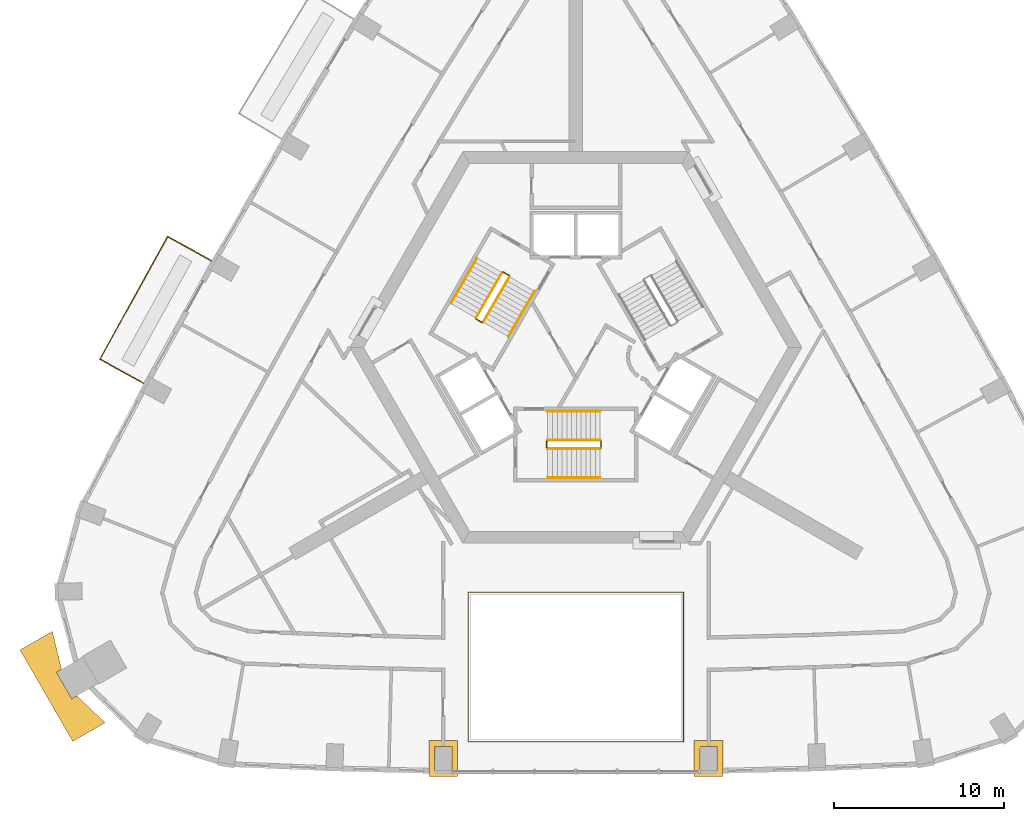
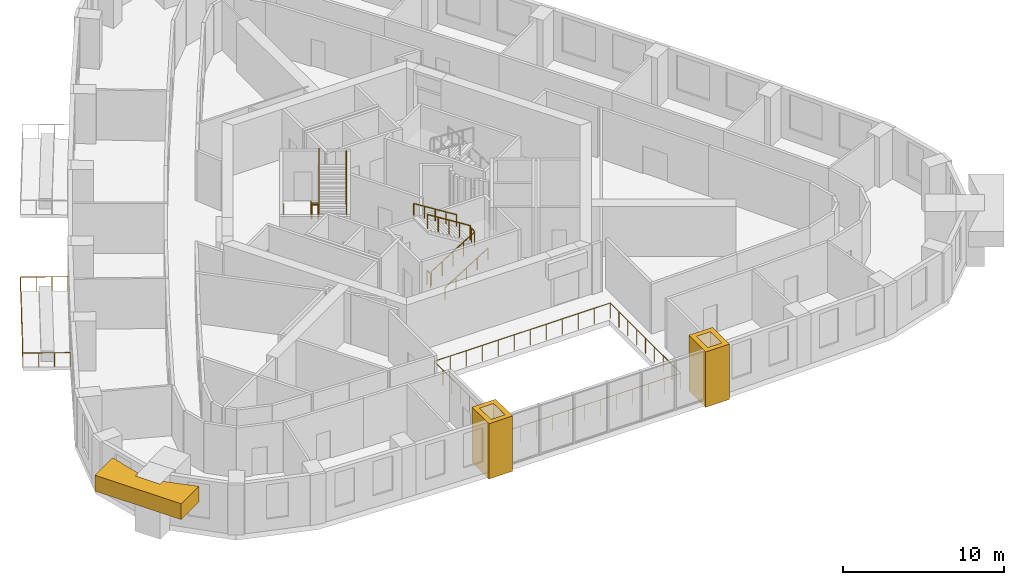
# One storey, part 11 of 13: 14 railings, 3 coverings.
"""IFC4 building model written with IfcOpenShell, lengths in metres."""

from ifc_helpers import new_model, si_unit, direction, frame, origin, origin_2d, place, context, subcontext, project, spatial, polyline, circle, outline, extrude, material, type_object, element, save


model = new_model("IFC4")

# Units and contexts
model_context = context("Model", 3, precision=1e-05, world=origin(), true_north=direction((0.0, 1.0)))
body_context = subcontext(model_context, "Body", "Model", "MODEL_VIEW")
ifc_project = project(units=[si_unit("LENGTHUNIT", "METRE"), si_unit("AREAUNIT", "SQUARE_METRE"), si_unit("VOLUMEUNIT", "CUBIC_METRE"), si_unit("PLANEANGLEUNIT", "RADIAN"), si_unit("MASSUNIT", "GRAM", prefix="KILO")], contexts=[model_context])

# Site, building, storey
site_placement = place(None, origin())
site = spatial("IfcSite", under=ifc_project, at=site_placement, CompositionType="ELEMENT")
building_placement = place(site_placement, origin())
building = spatial("IfcBuilding", under=site, at=building_placement, Name="Entoto Arch Interchange Tower", CompositionType="ELEMENT")
storey_placement = place(building_placement, frame((0.0, 0.0, 210.800048828125)))
storey = spatial("IfcBuildingStorey", under=building, at=storey_placement, Name="L47", CompositionType="ELEMENT", Elevation=210.800048828125)

# Railings
ifc_material_1 = material(Name="Stainless steel 1.4301", Category="steel")
railing_type_1 = type_object("IfcRailingType", Name="ATRIUM GUARD 1200 STEEL AND GLASS", PredefinedType="GUARDRAIL", material=ifc_material_1)
railing_1_placement = place(storey_placement, frame((6.320068359375, -20.6640625, 0.0)))
element("IfcRailing", 1, at=railing_1_placement, inside=storey, type_object=railing_type_1, Name="Atrium guard L47", PredefinedType="GUARDRAIL", context=body_context, shape_type="SweptSolid", body=[
    extrude(circle(Radius=0.02392578125, at=origin_2d()), frame((0.0, 0.0, 1.17578125), z_axis=(-1.0, 0.0, 0.0), x_axis=(0.0, -1.0, 0.0)), (0.0, 0.0, 1.0), 12.64013671875),
    extrude(circle(Radius=0.02392578125, at=origin_2d()), frame((-12.64013671875, 0.0, 1.17578125), z_axis=(0.0, 1.0, 0.0), x_axis=(-1.0, 0.0, 0.0)), (0.0, 0.0, 1.0), 8.7841796875),
    extrude(circle(Radius=0.02392578125, at=origin_2d()), frame((-12.64013671875, 8.7841796875, 1.17578125), z_axis=(1.0, 0.0, 0.0), x_axis=(0.0, 1.0, 0.0)), (0.0, 0.0, 1.0), 12.64013671875),
    extrude(circle(Radius=0.02392578125, at=origin_2d()), frame((0.0, 8.7841796875, 1.17578125), z_axis=(0.0, -1.0, 0.0), x_axis=(1.0, 0.0, 0.0)), (0.0, 0.0, 1.0), 8.7841796875),
    extrude(circle(Radius=0.02099609375, at=origin_2d()), origin(), (0.0, 0.0, 1.0), 1.15185546875),
    extrude(circle(Radius=0.02099609375, at=origin_2d()), frame((-1.149169921875, 0.0, 0.0)), (0.0, 0.0, 1.0), 1.15185546875),
    extrude(circle(Radius=0.02099609375, at=origin_2d()), frame((-2.298095703125, 0.0, 0.0)), (0.0, 0.0, 1.0), 1.15185546875),
    extrude(circle(Radius=0.02099609375, at=origin_2d()), frame((-3.447265625, 0.0, 0.0)), (0.0, 0.0, 1.0), 1.15185546875),
    extrude(circle(Radius=0.02099609375, at=origin_2d()), frame((-4.596435546875, 0.0, 0.0)), (0.0, 0.0, 1.0), 1.15185546875),
    extrude(circle(Radius=0.02099609375, at=origin_2d()), frame((-5.74560546875, 0.0, 0.0)), (0.0, 0.0, 1.0), 1.15185546875),
    extrude(circle(Radius=0.02099609375, at=origin_2d()), frame((-6.89453125, 0.0, 0.0)), (0.0, 0.0, 1.0), 1.15185546875),
    extrude(circle(Radius=0.02099609375, at=origin_2d()), frame((-8.043701171875, 0.0, 0.0)), (0.0, 0.0, 1.0), 1.15185546875),
    extrude(circle(Radius=0.02099609375, at=origin_2d()), frame((-9.19287109375, 0.0, 0.0)), (0.0, 0.0, 1.0), 1.15185546875),
    extrude(circle(Radius=0.02099609375, at=origin_2d()), frame((-10.342041015625, 0.0, 0.0)), (0.0, 0.0, 1.0), 1.15185546875),
    extrude(circle(Radius=0.02099609375, at=origin_2d()), frame((-11.490966796875, 0.0, 0.0)), (0.0, 0.0, 1.0), 1.15185546875),
    extrude(circle(Radius=0.02099609375, at=origin_2d()), frame((-12.64013671875, 0.0, 0.0)), (0.0, 0.0, 1.0), 1.15185546875),
    extrude(circle(Radius=0.02099609375, at=origin_2d()), frame((-12.64013671875, 1.09814453125, 0.0)), (0.0, 0.0, 1.0), 1.15185546875),
    extrude(circle(Radius=0.02099609375, at=origin_2d()), frame((-12.64013671875, 2.196044921875, 0.0)), (0.0, 0.0, 1.0), 1.15185546875),
    extrude(circle(Radius=0.02099609375, at=origin_2d()), frame((-12.64013671875, 3.2939453125, 0.0)), (0.0, 0.0, 1.0), 1.15185546875),
    extrude(circle(Radius=0.02099609375, at=origin_2d()), frame((-12.64013671875, 4.39208984375, 0.0)), (0.0, 0.0, 1.0), 1.15185546875),
    extrude(circle(Radius=0.02099609375, at=origin_2d()), frame((-12.64013671875, 5.490234375, 0.0)), (0.0, 0.0, 1.0), 1.15185546875),
    extrude(circle(Radius=0.02099609375, at=origin_2d()), frame((-12.64013671875, 6.588134765625, 0.0)), (0.0, 0.0, 1.0), 1.15185546875),
    extrude(circle(Radius=0.02099609375, at=origin_2d()), frame((-12.64013671875, 7.68603515625, 0.0)), (0.0, 0.0, 1.0), 1.15185546875),
    extrude(circle(Radius=0.02099609375, at=origin_2d()), frame((-12.64013671875, 8.7841796875, 0.0)), (0.0, 0.0, 1.0), 1.15185546875),
    extrude(circle(Radius=0.02099609375, at=origin_2d()), frame((-11.490966796875, 8.7841796875, 0.0)), (0.0, 0.0, 1.0), 1.15185546875),
    extrude(circle(Radius=0.02099609375, at=origin_2d()), frame((-10.342041015625, 8.7841796875, 0.0)), (0.0, 0.0, 1.0), 1.15185546875),
    extrude(circle(Radius=0.02099609375, at=origin_2d()), frame((-9.19287109375, 8.7841796875, 0.0)), (0.0, 0.0, 1.0), 1.15185546875),
    extrude(circle(Radius=0.02099609375, at=origin_2d()), frame((-8.043701171875, 8.7841796875, 0.0)), (0.0, 0.0, 1.0), 1.15185546875),
    extrude(circle(Radius=0.02099609375, at=origin_2d()), frame((-6.89453125, 8.7841796875, 0.0)), (0.0, 0.0, 1.0), 1.15185546875),
    extrude(circle(Radius=0.02099609375, at=origin_2d()), frame((-5.74560546875, 8.7841796875, 0.0)), (0.0, 0.0, 1.0), 1.15185546875),
    extrude(circle(Radius=0.02099609375, at=origin_2d()), frame((-4.596435546875, 8.7841796875, 0.0)), (0.0, 0.0, 1.0), 1.15185546875),
    extrude(circle(Radius=0.02099609375, at=origin_2d()), frame((-3.447265625, 8.7841796875, 0.0)), (0.0, 0.0, 1.0), 1.15185546875),
    extrude(circle(Radius=0.02099609375, at=origin_2d()), frame((-2.298095703125, 8.7841796875, 0.0)), (0.0, 0.0, 1.0), 1.15185546875),
    extrude(circle(Radius=0.02099609375, at=origin_2d()), frame((-1.149169921875, 8.7841796875, 0.0)), (0.0, 0.0, 1.0), 1.15185546875),
    extrude(circle(Radius=0.02099609375, at=origin_2d()), frame((0.0, 8.7841796875, 0.0)), (0.0, 0.0, 1.0), 1.15185546875),
    extrude(circle(Radius=0.02099609375, at=origin_2d()), frame((0.0, 7.68603515625, 0.0)), (0.0, 0.0, 1.0), 1.15185546875),
    extrude(circle(Radius=0.02099609375, at=origin_2d()), frame((0.0, 6.588134765625, 0.0)), (0.0, 0.0, 1.0), 1.15185546875),
    extrude(circle(Radius=0.02099609375, at=origin_2d()), frame((0.0, 5.490234375, 0.0)), (0.0, 0.0, 1.0), 1.15185546875),
    extrude(circle(Radius=0.02099609375, at=origin_2d()), frame((0.0, 4.39208984375, 0.0)), (0.0, 0.0, 1.0), 1.15185546875),
    extrude(circle(Radius=0.02099609375, at=origin_2d()), frame((0.0, 3.2939453125, 0.0)), (0.0, 0.0, 1.0), 1.15185546875),
    extrude(circle(Radius=0.02099609375, at=origin_2d()), frame((0.0, 2.196044921875, 0.0)), (0.0, 0.0, 1.0), 1.15185546875),
    extrude(circle(Radius=0.02099609375, at=origin_2d()), frame((0.0, 1.09814453125, 0.0)), (0.0, 0.0, 1.0), 1.15185546875),
])
railing_type_2 = type_object("IfcRailingType", Name="GUARD 1100 STEEL AND GLASS", PredefinedType="GUARDRAIL", material=ifc_material_1)
railing_2_placement = place(storey_placement, frame((-21.39892578125, 7.596923828125, 0.0)))
element("IfcRailing", 2, at=railing_2_placement, inside=storey, type_object=railing_type_2, Name="Balcony guard NW-04 L47", PredefinedType="GUARDRAIL", context=body_context, shape_type="SweptSolid", body=[
    extrude(circle(Radius=0.02392578125, at=origin_2d()), frame((0.0, 0.0, 1.076171875), z_axis=(-0.875368754809, 0.483455833665, 0.0), x_axis=(-0.483455833665, -0.875368754809, 0.0)), (0.0, 0.0, 1.0), 2.94970703125),
    extrude(circle(Radius=0.02392578125, at=origin_2d()), frame((-2.58203125, 1.426025390625, 1.076171875), z_axis=(-0.483555885085, -0.875313490128, 0.0), x_axis=(0.875313490128, -0.483555885085, 0.0)), (0.0, 0.0, 1.0), 8.2392578125),
    extrude(circle(Radius=0.02392578125, at=origin_2d()), frame((-6.566162109375, -5.785888671875, 1.076171875), z_axis=(0.875368754809, -0.483455833665, 0.0), x_axis=(0.483455833665, 0.875368754809, 0.0)), (0.0, 0.0, 1.0), 2.94970703125),
    extrude(circle(Radius=0.02099609375, at=origin_2d()), origin(), (0.0, 0.0, 1.0), 1.052001953125),
    extrude(circle(Radius=0.02099609375, at=origin_2d()), frame((-0.860595703125, 0.475341796875, 0.0)), (0.0, 0.0, 1.0), 1.052001953125),
    extrude(circle(Radius=0.02099609375, at=origin_2d()), frame((-1.721435546875, 0.95068359375, 0.0)), (0.0, 0.0, 1.0), 1.052001953125),
    extrude(circle(Radius=0.02099609375, at=origin_2d()), frame((-2.58203125, 1.426025390625, 0.0)), (0.0, 0.0, 1.0), 1.052001953125),
    extrude(circle(Radius=0.02099609375, at=origin_2d()), frame((-3.151123046875, 0.395751953125, 0.0)), (0.0, 0.0, 1.0), 1.052001953125),
    extrude(circle(Radius=0.02099609375, at=origin_2d()), frame((-3.720458984375, -0.634521484375, 0.0)), (0.0, 0.0, 1.0), 1.052001953125),
    extrude(circle(Radius=0.02099609375, at=origin_2d()), frame((-4.28955078125, -1.664794921875, 0.0)), (0.0, 0.0, 1.0), 1.052001953125),
    extrude(circle(Radius=0.02099609375, at=origin_2d()), frame((-4.858642578125, -2.695068359375, 0.0)), (0.0, 0.0, 1.0), 1.052001953125),
    extrude(circle(Radius=0.02099609375, at=origin_2d()), frame((-5.427734375, -3.725341796875, 0.0)), (0.0, 0.0, 1.0), 1.052001953125),
    extrude(circle(Radius=0.02099609375, at=origin_2d()), frame((-5.9970703125, -4.755615234375, 0.0)), (0.0, 0.0, 1.0), 1.052001953125),
    extrude(circle(Radius=0.02099609375, at=origin_2d()), frame((-6.566162109375, -5.785888671875, 0.0)), (0.0, 0.0, 1.0), 1.052001953125),
    extrude(circle(Radius=0.02099609375, at=origin_2d()), frame((-5.70556640625, -6.26123046875, 0.0)), (0.0, 0.0, 1.0), 1.052001953125),
    extrude(circle(Radius=0.02099609375, at=origin_2d()), frame((-4.8447265625, -6.736572265625, 0.0)), (0.0, 0.0, 1.0), 1.052001953125),
    extrude(circle(Radius=0.02099609375, at=origin_2d()), frame((-3.984130859375, -7.2119140625, 0.0)), (0.0, 0.0, 1.0), 1.052001953125),
])

# Coverings
ifc_material_2 = material(Name="Board-marked precast concrete C50/60", Category="concrete")
covering_type = type_object("IfcCoveringType", Name="PRECAST FRAME COURSE", PredefinedType="CLADDING", material=ifc_material_2)
covering_1_placement = place(storey_placement, frame((0.0, 0.0, 2.599853515625)))
element("IfcCovering", 3, at=covering_1_placement, inside=storey, type_object=covering_type, Name="Corner pilaster head SW L45-L47", PredefinedType="CLADDING", context=body_context, shape_type="SweptSolid", body=[
    extrude(outline(polyline([(-29.553955078125, -20.64306640625), (-32.654052734375, -15.27294921875), (-30.7529296875, -14.176025390625), (-30.212890625, -16.405029296875), (-30.513916015625, -16.5791015625), (-29.614013671875, -18.136962890625), (-29.31298828125, -17.962890625), (-27.653076171875, -19.544921875), (-29.553955078125, -20.64306640625)])), origin(), (0.0, 0.0, 1.0), 1.2001953125),
])
covering_2_placement = place(storey_placement, frame((0.0, 0.0, -0.400146484375)))
element("IfcCovering", 4, at=covering_2_placement, inside=storey, type_object=covering_type, Name="Gate pier L47", PredefinedType="CLADDING", context=body_context, shape_type="SweptSolid", body=[
    extrude(outline(polyline([(-8.637939453125, -20.593994140625), (-6.93798828125, -20.593994140625), (-6.93798828125, -22.694091796875), (-8.637939453125, -22.694091796875), (-8.637939453125, -20.593994140625)]), holes=[polyline([(-8.2880859375, -20.944091796875), (-8.2880859375, -22.343994140625), (-7.2880859375, -22.343994140625), (-7.2880859375, -20.944091796875), (-8.2880859375, -20.944091796875)])]), origin(), (0.0, 0.0, 1.0), 4.2001953125),
])
covering_3_placement = place(storey_placement, frame((0.0, 0.0, -0.400146484375)))
element("IfcCovering", 5, at=covering_3_placement, inside=storey, type_object=covering_type, Name="Gate pier L47", PredefinedType="CLADDING", context=body_context, shape_type="SweptSolid", body=[
    extrude(outline(polyline([(6.93798828125, -20.593994140625), (8.637939453125, -20.593994140625), (8.637939453125, -22.694091796875), (6.93798828125, -22.694091796875), (6.93798828125, -20.593994140625)]), holes=[polyline([(7.2880859375, -20.944091796875), (7.2880859375, -22.343994140625), (8.2880859375, -22.343994140625), (8.2880859375, -20.944091796875), (7.2880859375, -20.944091796875)])]), origin(), (0.0, 0.0, 1.0), 4.2001953125),
])

# Railings
railing_type_3 = type_object("IfcRailingType", Name="STAIR GUARD 1100 STEEL", PredefinedType="GUARDRAIL", material=ifc_material_1)
railing_3_placement = place(storey_placement, frame((-1.64990234375, -3.449951171875, 0.175048828125)))
element("IfcRailing", 6, at=railing_3_placement, inside=storey, type_object=railing_type_3, Name="L47 ST-S stair guard 1", PredefinedType="GUARDRAIL", context=body_context, shape_type="SweptSolid", body=[
    extrude(circle(Radius=0.02392578125, at=origin_2d()), frame((0.0, 0.0, 1.076171875), z_axis=(0.848009633417, 0.0, 0.529980812513), x_axis=(0.0, 1.0, 0.0)), (0.0, 0.0, 1.0), 3.6318359375),
    extrude(circle(Radius=0.02099609375, at=origin_2d()), origin(), (0.0, 0.0, 1.0), 1.052001953125),
    extrude(circle(Radius=0.02099609375, at=origin_2d()), frame((0.77001953125, 0.0, 0.481201171875)), (0.0, 0.0, 1.0), 1.052001953125),
    extrude(circle(Radius=0.02099609375, at=origin_2d()), frame((1.5400390625, 0.0, 0.96240234375)), (0.0, 0.0, 1.0), 1.052001953125),
    extrude(circle(Radius=0.02099609375, at=origin_2d()), frame((2.309814453125, 0.0, 1.443603515625)), (0.0, 0.0, 1.0), 1.052001953125),
    extrude(circle(Radius=0.02099609375, at=origin_2d()), frame((3.079833984375, 0.0, 1.9248046875)), (0.0, 0.0, 1.0), 1.052001953125),
])
railing_4_placement = place(storey_placement, frame((1.47998046875, -3.39990234375, 2.099853515625)))
element("IfcRailing", 7, at=railing_4_placement, inside=storey, type_object=railing_type_3, Name="L47 ST-S stair guard 2", PredefinedType="GUARDRAIL", context=body_context, shape_type="SweptSolid", body=[
    extrude(circle(Radius=0.02392578125, at=origin_2d()), frame((0.0, 0.0, 1.076171875), z_axis=(0.0, 1.0, 0.0), x_axis=(-1.0, 0.0, 0.0)), (0.0, 0.0, 1.0), 0.39990234375),
    extrude(circle(Radius=0.02099609375, at=origin_2d()), origin(), (0.0, 0.0, 1.0), 1.052001953125),
    extrude(circle(Radius=0.02099609375, at=origin_2d()), frame((0.0, 0.39990234375, 0.0)), (0.0, 0.0, 1.0), 1.052001953125),
])
railing_5_placement = place(storey_placement, frame((1.429931640625, -2.949951171875, 2.27490234375)))
element("IfcRailing", 8, at=railing_5_placement, inside=storey, type_object=railing_type_3, Name="L47 ST-S stair guard 3", PredefinedType="GUARDRAIL", context=body_context, shape_type="SweptSolid", body=[
    extrude(circle(Radius=0.02392578125, at=origin_2d()), frame((0.0, 0.0, 1.076171875), z_axis=(-0.847979421464, 0.0, 0.530029150871), x_axis=(0.0, -1.0, 0.0)), (0.0, 0.0, 1.0), 3.632080078125),
    extrude(circle(Radius=0.02099609375, at=origin_2d()), origin(), (0.0, 0.0, 1.0), 1.052001953125),
    extrude(circle(Radius=0.02099609375, at=origin_2d()), frame((-0.77001953125, 0.0, 0.481201171875)), (0.0, 0.0, 1.0), 1.052001953125),
    extrude(circle(Radius=0.02099609375, at=origin_2d()), frame((-1.5400390625, 0.0, 0.96240234375)), (0.0, 0.0, 1.0), 1.052001953125),
    extrude(circle(Radius=0.02099609375, at=origin_2d()), frame((-2.309814453125, 0.0, 1.44384765625)), (0.0, 0.0, 1.0), 1.052001953125),
    extrude(circle(Radius=0.02099609375, at=origin_2d()), frame((-3.079833984375, 0.0, 1.925048828125)), (0.0, 0.0, 1.0), 1.052001953125),
])
railing_6_placement = place(storey_placement, frame((-1.699951171875, -3.39990234375, 0.0)))
element("IfcRailing", 9, at=railing_6_placement, inside=storey, type_object=railing_type_3, Name="L47 ST-S stair guard 4", PredefinedType="GUARDRAIL", context=body_context, shape_type="SweptSolid", body=[
    extrude(circle(Radius=0.02392578125, at=origin_2d()), frame((0.0, 0.0, 1.076171875), z_axis=(0.0, 1.0, 0.0), x_axis=(-1.0, 0.0, 0.0)), (0.0, 0.0, 1.0), 0.39990234375),
    extrude(circle(Radius=0.02099609375, at=origin_2d()), origin(), (0.0, 0.0, 1.0), 1.052001953125),
    extrude(circle(Radius=0.02099609375, at=origin_2d()), frame((0.0, 0.39990234375, 0.0)), (0.0, 0.0, 1.0), 1.052001953125),
])
railing_7_placement = place(storey_placement, frame((-4.327880859375, 6.904052734375, 0.175048828125)))
element("IfcRailing", 10, at=railing_7_placement, inside=storey, type_object=railing_type_3, Name="L47 ST-NW stair guard 1", PredefinedType="GUARDRAIL", context=body_context, shape_type="SweptSolid", body=[
    extrude(circle(Radius=0.02392578125, at=origin_2d()), frame((0.0, 0.0, 1.076171875), z_axis=(-0.424009578203, -0.734421155904, 0.529944755001), x_axis=(0.866029832698, -0.499992328818, 0.0)), (0.0, 0.0, 1.0), 3.632080078125),
    extrude(circle(Radius=0.02099609375, at=origin_2d()), origin(), (0.0, 0.0, 1.0), 1.052001953125),
    extrude(circle(Radius=0.02099609375, at=origin_2d()), frame((-0.385009765625, -0.6669921875, 0.481201171875)), (0.0, 0.0, 1.0), 1.052001953125),
    extrude(circle(Radius=0.02099609375, at=origin_2d()), frame((-0.77001953125, -1.333740234375, 0.96240234375)), (0.0, 0.0, 1.0), 1.052001953125),
    extrude(circle(Radius=0.02099609375, at=origin_2d()), frame((-1.155029296875, -2.00048828125, 1.443603515625)), (0.0, 0.0, 1.0), 1.052001953125),
    extrude(circle(Radius=0.02099609375, at=origin_2d()), frame((-1.5400390625, -2.66748046875, 1.9248046875)), (0.0, 0.0, 1.0), 1.052001953125),
])
railing_8_placement = place(storey_placement, frame((-5.849609375, 4.168212890625, 2.099853515625)))
element("IfcRailing", 11, at=railing_8_placement, inside=storey, type_object=railing_type_3, Name="L47 ST-NW stair guard 2", PredefinedType="GUARDRAIL", context=body_context, shape_type="SweptSolid", body=[
    extrude(circle(Radius=0.02392578125, at=origin_2d()), frame((0.0, 0.0, 1.076171875), z_axis=(0.866094119867, -0.499880961361, 0.0), x_axis=(0.499880961361, 0.866094119867, 0.0)), (0.0, 0.0, 1.0), 0.39990234375),
    extrude(circle(Radius=0.02099609375, at=origin_2d()), origin(), (0.0, 0.0, 1.0), 1.052001953125),
    extrude(circle(Radius=0.02099609375, at=origin_2d()), frame((0.346435546875, -0.199951171875, 0.0)), (0.0, 0.0, 1.0), 1.052001953125),
])
railing_9_placement = place(storey_placement, frame((-5.434814453125, 3.986572265625, 2.27490234375)))
element("IfcRailing", 12, at=railing_9_placement, inside=storey, type_object=railing_type_3, Name="L47 ST-NW stair guard 3", PredefinedType="GUARDRAIL", context=body_context, shape_type="SweptSolid", body=[
    extrude(circle(Radius=0.02392578125, at=origin_2d()), frame((0.0, 0.0, 1.076171875), z_axis=(0.423994474112, 0.734394994316, 0.52999309264), x_axis=(-0.866029832698, 0.499992328818, 0.0)), (0.0, 0.0, 1.0), 3.63232421875),
    extrude(circle(Radius=0.02099609375, at=origin_2d()), origin(), (0.0, 0.0, 1.0), 1.052001953125),
    extrude(circle(Radius=0.02099609375, at=origin_2d()), frame((0.385009765625, 0.6669921875, 0.481201171875)), (0.0, 0.0, 1.0), 1.052001953125),
    extrude(circle(Radius=0.02099609375, at=origin_2d()), frame((0.77001953125, 1.333740234375, 0.96240234375)), (0.0, 0.0, 1.0), 1.052001953125),
    extrude(circle(Radius=0.02099609375, at=origin_2d()), frame((1.155029296875, 2.00048828125, 1.44384765625)), (0.0, 0.0, 1.0), 1.052001953125),
    extrude(circle(Radius=0.02099609375, at=origin_2d()), frame((1.5400390625, 2.66748046875, 1.925048828125)), (0.0, 0.0, 1.0), 1.052001953125),
])
railing_10_placement = place(storey_placement, frame((-4.259521484375, 6.92236328125, 0.0)))
element("IfcRailing", 13, at=railing_10_placement, inside=storey, type_object=railing_type_3, Name="L47 ST-NW stair guard 4", PredefinedType="GUARDRAIL", context=body_context, shape_type="SweptSolid", body=[
    extrude(circle(Radius=0.02392578125, at=origin_2d()), frame((0.0, 0.0, 1.076171875), z_axis=(0.865829829939, -0.500338590944, 0.0), x_axis=(0.500338590944, 0.865829829939, 0.0)), (0.0, 0.0, 1.0), 0.400146484375),
    extrude(circle(Radius=0.02099609375, at=origin_2d()), origin(), (0.0, 0.0, 1.0), 1.052001953125),
    extrude(circle(Radius=0.02099609375, at=origin_2d()), frame((0.346435546875, -0.2001953125, 0.0)), (0.0, 0.0, 1.0), 1.052001953125),
])
railing_type_4 = type_object("IfcRailingType", Name="STAIR HANDRAIL 900 STEEL", PredefinedType="HANDRAIL", material=ifc_material_1)
railing_11_placement = place(storey_placement, frame((-1.64990234375, -5.14990234375, 0.175048828125)))
element("IfcRailing", 14, at=railing_11_placement, inside=storey, type_object=railing_type_4, Name="L47 ST-S stair handrail 1", PredefinedType="HANDRAIL", context=body_context, shape_type="SweptSolid", body=[
    extrude(circle(Radius=0.02392578125, at=origin_2d()), frame((0.0, 0.0, 0.8759765625), z_axis=(0.848009633417, 0.0, 0.529980812513), x_axis=(0.0, 1.0, 0.0)), (0.0, 0.0, 1.0), 3.6318359375),
    extrude(circle(Radius=0.02099609375, at=origin_2d()), origin(), (0.0, 0.0, 1.0), 0.851806640625),
    extrude(circle(Radius=0.02099609375, at=origin_2d()), frame((0.77001953125, 0.0, 0.481201171875)), (0.0, 0.0, 1.0), 0.851806640625),
    extrude(circle(Radius=0.02099609375, at=origin_2d()), frame((1.5400390625, 0.0, 0.96240234375)), (0.0, 0.0, 1.0), 0.851806640625),
    extrude(circle(Radius=0.02099609375, at=origin_2d()), frame((2.309814453125, 0.0, 1.443603515625)), (0.0, 0.0, 1.0), 0.851806640625),
    extrude(circle(Radius=0.02099609375, at=origin_2d()), frame((3.079833984375, 0.0, 1.9248046875)), (0.0, 0.0, 1.0), 0.851806640625),
])
railing_12_placement = place(storey_placement, frame((1.429931640625, -1.25, 2.27490234375)))
element("IfcRailing", 15, at=railing_12_placement, inside=storey, type_object=railing_type_4, Name="L47 ST-S stair handrail 2", PredefinedType="HANDRAIL", context=body_context, shape_type="SweptSolid", body=[
    extrude(circle(Radius=0.02392578125, at=origin_2d()), frame((0.0, 0.0, 0.8759765625), z_axis=(-0.847979421464, 0.0, 0.530029150871), x_axis=(0.0, -1.0, 0.0)), (0.0, 0.0, 1.0), 3.632080078125),
    extrude(circle(Radius=0.02099609375, at=origin_2d()), origin(), (0.0, 0.0, 1.0), 0.851806640625),
    extrude(circle(Radius=0.02099609375, at=origin_2d()), frame((-0.77001953125, 0.0, 0.481201171875)), (0.0, 0.0, 1.0), 0.851806640625),
    extrude(circle(Radius=0.02099609375, at=origin_2d()), frame((-1.5400390625, 0.0, 0.96240234375)), (0.0, 0.0, 1.0), 0.851806640625),
    extrude(circle(Radius=0.02099609375, at=origin_2d()), frame((-2.309814453125, 0.0, 1.44384765625)), (0.0, 0.0, 1.0), 0.851806640625),
    extrude(circle(Radius=0.02099609375, at=origin_2d()), frame((-3.079833984375, 0.0, 1.925048828125)), (0.0, 0.0, 1.0), 0.851806640625),
])
railing_13_placement = place(storey_placement, frame((-5.800048828125, 7.75390625, 0.175048828125)))
element("IfcRailing", 16, at=railing_13_placement, inside=storey, type_object=railing_type_4, Name="L47 ST-NW stair handrail 1", PredefinedType="HANDRAIL", context=body_context, shape_type="SweptSolid", body=[
    extrude(circle(Radius=0.02392578125, at=origin_2d()), frame((0.0, 0.0, 0.8759765625), z_axis=(-0.42403051051, -0.734390191396, 0.529970917068), x_axis=(0.866010015463, -0.500026652407, 0.0)), (0.0, 0.0, 1.0), 3.6318359375),
    extrude(circle(Radius=0.02099609375, at=origin_2d()), origin(), (0.0, 0.0, 1.0), 0.851806640625),
    extrude(circle(Radius=0.02099609375, at=origin_2d()), frame((-0.385009765625, -0.666748046875, 0.481201171875)), (0.0, 0.0, 1.0), 0.851806640625),
    extrude(circle(Radius=0.02099609375, at=origin_2d()), frame((-0.77001953125, -1.33349609375, 0.96240234375)), (0.0, 0.0, 1.0), 0.851806640625),
    extrude(circle(Radius=0.02099609375, at=origin_2d()), frame((-1.155029296875, -2.00048828125, 1.443603515625)), (0.0, 0.0, 1.0), 0.851806640625),
    extrude(circle(Radius=0.02099609375, at=origin_2d()), frame((-1.5400390625, -2.667236328125, 1.9248046875)), (0.0, 0.0, 1.0), 0.851806640625),
])
railing_14_placement = place(storey_placement, frame((-3.962646484375, 3.136474609375, 2.27490234375)))
element("IfcRailing", 17, at=railing_14_placement, inside=storey, type_object=railing_type_4, Name="L47 ST-NW stair handrail 2", PredefinedType="HANDRAIL", context=body_context, shape_type="SweptSolid", body=[
    extrude(circle(Radius=0.02392578125, at=origin_2d()), frame((0.0, 0.0, 0.8759765625), z_axis=(0.423994474112, 0.734394994316, 0.52999309264), x_axis=(-0.866029832698, 0.499992328818, 0.0)), (0.0, 0.0, 1.0), 3.63232421875),
    extrude(circle(Radius=0.02099609375, at=origin_2d()), origin(), (0.0, 0.0, 1.0), 0.851806640625),
    extrude(circle(Radius=0.02099609375, at=origin_2d()), frame((0.385009765625, 0.6669921875, 0.481201171875)), (0.0, 0.0, 1.0), 0.851806640625),
    extrude(circle(Radius=0.02099609375, at=origin_2d()), frame((0.77001953125, 1.333740234375, 0.96240234375)), (0.0, 0.0, 1.0), 0.851806640625),
    extrude(circle(Radius=0.02099609375, at=origin_2d()), frame((1.155029296875, 2.00048828125, 1.44384765625)), (0.0, 0.0, 1.0), 0.851806640625),
    extrude(circle(Radius=0.02099609375, at=origin_2d()), frame((1.5400390625, 2.66748046875, 1.925048828125)), (0.0, 0.0, 1.0), 0.851806640625),
])

save(model, "model.ifc")
